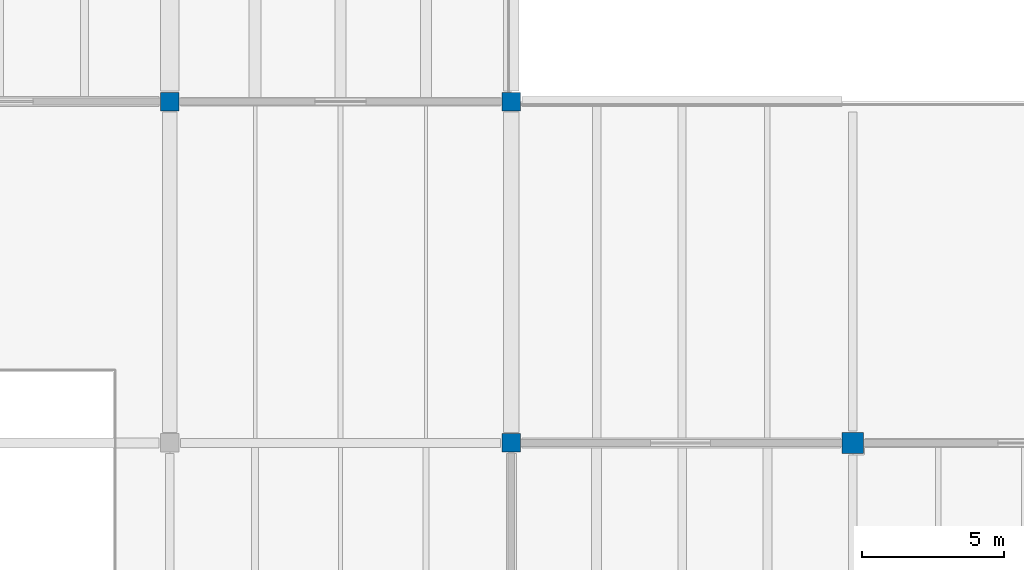
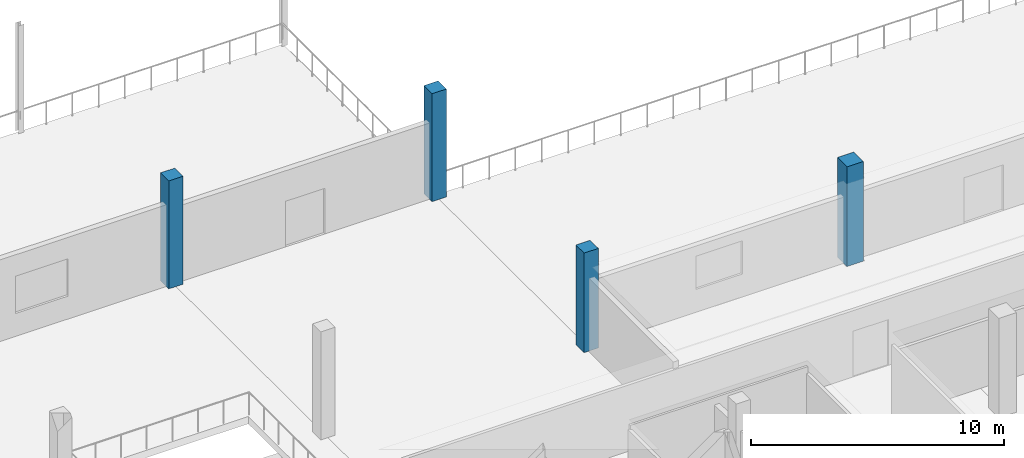
# One storey, part 5 of 112: 4 columns.
"""IFC4 building model written with IfcOpenShell, lengths in metres."""

from ifc_helpers import new_model, si_unit, direction, frame, origin, origin_2d, place, context, subcontext, project, spatial, rectangle, extrude, material, material_profile, profile_set, type_object, element, save


model = new_model("IFC4")

# Units and contexts
model_context = context("Model", 3, precision=1e-05, world=origin(), true_north=direction((0.0, 1.0)))
body_context = subcontext(model_context, "Body", "Model", "MODEL_VIEW")
ifc_project = project(units=[si_unit("LENGTHUNIT", "METRE"), si_unit("AREAUNIT", "SQUARE_METRE"), si_unit("VOLUMEUNIT", "CUBIC_METRE"), si_unit("PLANEANGLEUNIT", "RADIAN"), si_unit("MASSUNIT", "GRAM", prefix="KILO")], contexts=[model_context])

# Site, building, storey
site_placement = place(None, origin())
site = spatial("IfcSite", under=ifc_project, at=site_placement, CompositionType="ELEMENT")
building_placement = place(site_placement, origin())
building = spatial("IfcBuilding", under=site, at=building_placement, Name="Kamomehara Wholesale Market", CompositionType="ELEMENT")
storey_placement = place(building_placement, frame((0.0, 0.0, 6.60009765625)))
storey = spatial("IfcBuildingStorey", under=building, at=storey_placement, Name="L01", CompositionType="ELEMENT", Elevation=6.60009765625)

# Columns
ifc_material_1 = material(Name="Precast concrete Fc45 (C40/50)", Category="concrete")
ifc_material_profile_1 = material_profile(ifc_material_1, rectangle(XDim=0.64990234375, YDim=0.64990234375, at=origin_2d()), Name="PC-COL-650x650")
ifc_profile_set_1 = profile_set([ifc_material_profile_1], Name="Precast concrete Fc45 (C40/50)")
column_type_1 = type_object("IfcColumnType", Name="COL-PC650-EXT", PredefinedType="COLUMN", material=ifc_profile_set_1)
column_1_placement = place(storey_placement, frame((96.0, 60.0, 0.0), z_axis=(0.0, 0.0, 1.0), x_axis=(1.0, 0.0, 0.0)))
element("IfcColumn", 1, at=column_1_placement, inside=storey, type_object=column_type_1, Name="Column C-06E L01", PredefinedType="COLUMN", context=body_context, shape_type="SweptSolid", body=[
    extrude(rectangle(XDim=0.64990234375, YDim=0.64990234375, at=origin_2d()), origin(), (0.0, 0.0, 1.0), 5.199951171875),
])
column_2_placement = place(storey_placement, frame((108.0, 48.0, 0.0), z_axis=(0.0, 0.0, 1.0), x_axis=(1.0, 0.0, 0.0)))
element("IfcColumn", 2, at=column_2_placement, inside=storey, type_object=column_type_1, Name="Column C-06E L01", PredefinedType="COLUMN", context=body_context, shape_type="SweptSolid", body=[
    extrude(rectangle(XDim=0.64990234375, YDim=0.64990234375, at=origin_2d()), origin(), (0.0, 0.0, 1.0), 4.7998046875),
])
column_3_placement = place(storey_placement, frame((108.0, 60.0, 0.0), z_axis=(0.0, 0.0, 1.0), x_axis=(1.0, 0.0, 0.0)))
element("IfcColumn", 3, at=column_3_placement, inside=storey, type_object=column_type_1, Name="Column C-06E L01", PredefinedType="COLUMN", context=body_context, shape_type="SweptSolid", body=[
    extrude(rectangle(XDim=0.64990234375, YDim=0.64990234375, at=origin_2d()), origin(), (0.0, 0.0, 1.0), 5.199951171875),
])
ifc_material_2 = material(Name="Precast concrete Fc45 (C40/50)", Category="concrete")
ifc_material_profile_2 = material_profile(ifc_material_2, rectangle(XDim=0.75, YDim=0.75, at=origin_2d()), Name="PC-COL-750x750")
ifc_profile_set_2 = profile_set([ifc_material_profile_2], Name="Precast concrete Fc45 (C40/50)")
column_type_2 = type_object("IfcColumnType", Name="COL-PC750-EXT", PredefinedType="COLUMN", material=ifc_profile_set_2)
column_4_placement = place(storey_placement, frame((120.0, 48.0, 0.0), z_axis=(0.0, 0.0, 1.0), x_axis=(1.0, 0.0, 0.0)))
element("IfcColumn", 4, at=column_4_placement, inside=storey, type_object=column_type_2, Name="Column C-04E L01", PredefinedType="COLUMN", context=body_context, shape_type="SweptSolid", body=[
    extrude(rectangle(XDim=0.75, YDim=0.75, at=origin_2d()), origin(), (0.0, 0.0, 1.0), 4.7998046875),
])

save(model, "model.ifc")
